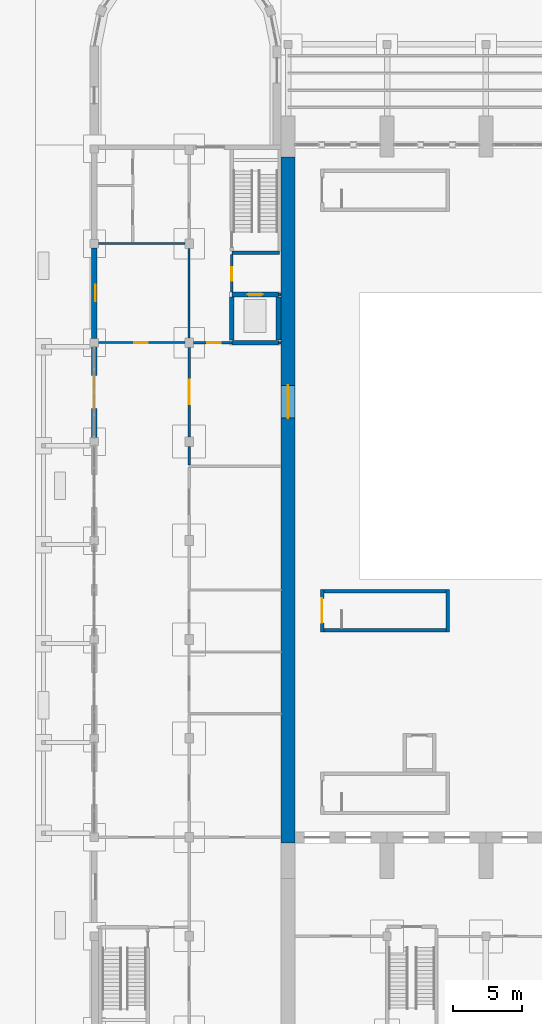
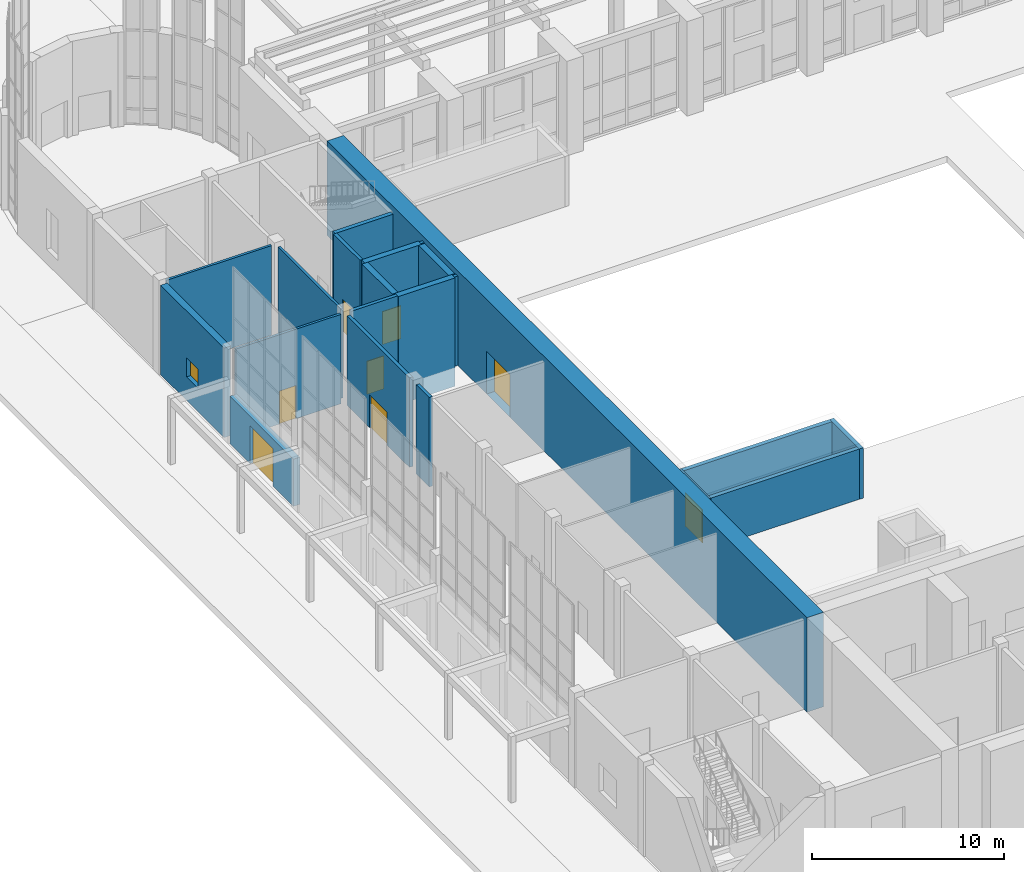
# One storey, part 41 of 70: 21 walls, 8 doors, 1 window, 9 openings.
"""IFC4 building model written with IfcOpenShell, lengths in metres."""

from ifc_helpers import new_model, si_unit, direction, frame, frame_2d, origin, place, context, subcontext, project, spatial, rectangle, extrude, material, layer, layer_set, type_object, element, fill, save


model = new_model("IFC4")

# Units and contexts
model_context = context("Model", 3, precision=1e-05, world=origin(), true_north=direction((0.0, 1.0)))
body_context = subcontext(model_context, "Body", "Model", "MODEL_VIEW")
ifc_project = project(units=[si_unit("LENGTHUNIT", "METRE"), si_unit("AREAUNIT", "SQUARE_METRE"), si_unit("VOLUMEUNIT", "CUBIC_METRE"), si_unit("PLANEANGLEUNIT", "RADIAN"), si_unit("MASSUNIT", "GRAM", prefix="KILO")], contexts=[model_context])

# Site, building, storey
site_placement = place(None, origin())
site = spatial("IfcSite", under=ifc_project, at=site_placement, CompositionType="ELEMENT")
building_placement = place(site_placement, origin())
building = spatial("IfcBuilding", under=site, at=building_placement, Name="Vermilion Court Aquatics Centre", CompositionType="ELEMENT")
storey_placement = place(building_placement, origin())
storey = spatial("IfcBuildingStorey", under=building, at=storey_placement, Name="L00", CompositionType="ELEMENT", Elevation=0.0)

# Wall, opening, door
ifc_material_1 = material(Name="Concrete 5000 psi", Category="concrete")
ifc_layer_1 = layer(ifc_material_1, 1.0)
ifc_layer_set_1 = layer_set([ifc_layer_1], Name="Envelope west gable wall lower 1000")
wall_type_1 = type_object("IfcWallType", Name="Envelope west gable wall lower 1000", PredefinedType="SOLIDWALL", material=ifc_layer_set_1)
wall_1_placement = place(storey_placement, frame((14.39990234375, 14.0, 0.0), z_axis=(0.0, 0.0, 1.0), x_axis=(0.0, 1.0, 0.0)))
wall_1 = element("IfcWall", 1, at=wall_1_placement, inside=storey, type_object=wall_type_1, Name="Gable wall west L00", PredefinedType="SOLIDWALL", context=body_context, shape_type="SweptSolid", body=[
    extrude(rectangle(XDim=49.89990234375, YDim=1.0, at=frame_2d((24.949951171875, 0.0))), origin(), (0.0, 0.0, 1.0), 6.0),
])
opening_1_placement = place(wall_1_placement, frame((30.89990234375, 0.0, 0.0)))
opening_1 = element("IfcOpeningElement", 2, at=opening_1_placement, cuts=wall_1, Name="Opening E00-002", PredefinedType="OPENING", context=body_context, shape_type="SweptSolid", body=[
    extrude(rectangle(XDim=2.39990234375, YDim=2.699951171875, at=frame_2d((1.199951171875, 1.35009765625))), frame((0.0, 0.510009765625, 0.0), z_axis=(0.0, -1.0, 0.0), x_axis=(1.0, 0.0, 0.0)), (0.0, 0.0, 1.0), 1.02001953125),
])
ifc_material_2 = material(Name="Hollow metal")
door_type_1 = type_object("IfcDoorType", Name="Envelope west link door pair 2400x2700", OperationType="DOUBLE_DOOR_SINGLE_SWING", PredefinedType="DOOR", material=ifc_material_2)
door_1_placement = place(opening_1_placement, origin())
door_1 = element("IfcDoor", 3, at=door_1_placement, inside=storey, type_object=door_type_1, Name="Deck link to the foyer E00-002", OperationType="DOUBLE_DOOR_SINGLE_SWING", OverallHeight=2.699951171875, OverallWidth=2.39990234375, PredefinedType="DOOR", context=body_context, shape_type="SweptSolid", body=[
    extrude(rectangle(XDim=2.39990234375, YDim=2.699951171875, at=frame_2d((1.199951171875, 1.35009765625))), frame((0.0, 0.02490234375, 0.0), z_axis=(0.0, -1.0, 0.0), x_axis=(1.0, 0.0, 0.0)), (0.0, 0.0, 1.0), 0.050048828125),
])
fill(opening_1, door_1)

ifc_material_3 = material(Name="Brick masonry", Category="masonry")
ifc_layer_2 = layer(ifc_material_3, 0.39990234375)
ifc_layer_set_2 = layer_set([ifc_layer_2], Name="Foyer brick wall 400")
wall_type_2 = type_object("IfcWallType", Name="Foyer brick wall 400", PredefinedType="SOLIDWALL", material=ifc_layer_set_2)
wall_2_placement = place(storey_placement, frame((0.300048828125, 43.5, 0.0), z_axis=(0.0, 0.0, 1.0), x_axis=(0.0, 1.0, 0.0)))
wall_2 = element("IfcWall", 4, at=wall_2_placement, inside=storey, type_object=wall_type_2, Name="Foyer brick base wall", PredefinedType="SOLIDWALL", context=body_context, shape_type="SweptSolid", body=[
    extrude(rectangle(XDim=6.60009765625, YDim=0.39990234375, at=frame_2d((3.300048828125, 0.0))), origin(), (0.0, 0.0, 1.0), 3.0),
])
opening_2_placement = place(wall_2_placement, frame((2.10009765625, 0.0, 0.0)))
opening_2 = element("IfcOpeningElement", 5, at=opening_2_placement, cuts=wall_2, Name="Opening F00-006", PredefinedType="OPENING", context=body_context, shape_type="SweptSolid", body=[
    extrude(rectangle(XDim=2.39990234375, YDim=2.39990234375, at=frame_2d((1.199951171875, 1.199951171875))), frame((0.0, 0.2099609375, 0.0), z_axis=(0.0, -1.0, 0.0), x_axis=(1.0, 0.0, 0.0)), (0.0, 0.0, 1.0), 0.419921875),
])
ifc_material_4 = material(Name="Hollow metal", Category="metal")
door_type_2 = type_object("IfcDoorType", Name="Foyer entrance door 2400x2400", OperationType="DOUBLE_DOOR_SINGLE_SWING", PredefinedType="DOOR", material=ifc_material_4)
door_2_placement = place(opening_2_placement, origin())
door_2 = element("IfcDoor", 6, at=door_2_placement, inside=storey, type_object=door_type_2, Name="Foyer entrance door", OperationType="DOUBLE_DOOR_SINGLE_SWING", OverallHeight=2.39990234375, OverallWidth=2.39990234375, PredefinedType="DOOR", context=body_context, shape_type="SweptSolid", body=[
    extrude(rectangle(XDim=2.39990234375, YDim=2.39990234375, at=frame_2d((1.199951171875, 1.199951171875))), frame((0.0, 0.02490234375, 0.0), z_axis=(0.0, -1.0, 0.0), x_axis=(1.0, 0.0, 0.0)), (0.0, 0.0, 1.0), 0.050048828125),
])
fill(opening_2, door_2)

# Wall, opening, window
wall_3_placement = place(storey_placement, frame((0.300048828125, 50.699951171875, 0.0), z_axis=(0.0, 0.0, 1.0), x_axis=(0.0, 1.0, 0.0)))
wall_3 = element("IfcWall", 7, at=wall_3_placement, inside=storey, type_object=wall_type_2, Name="Foyer brick wall", PredefinedType="SOLIDWALL", context=body_context, shape_type="SweptSolid", body=[
    extrude(rectangle(XDim=6.60009765625, YDim=0.39990234375, at=frame_2d((3.300048828125, 0.0))), origin(), (0.0, 0.0, 1.0), 5.675048828125),
])
opening_3_placement = place(wall_3_placement, frame((2.699951171875, 0.0, 1.5)))
opening_3 = element("IfcOpeningElement", 8, at=opening_3_placement, cuts=wall_3, Name="Opening FWN3", PredefinedType="OPENING", context=body_context, shape_type="SweptSolid", body=[
    extrude(rectangle(XDim=1.199951171875, YDim=1.199951171875, at=frame_2d((0.60009765625, 0.60009765625))), frame((0.0, 0.2099609375, 0.0), z_axis=(0.0, -1.0, 0.0), x_axis=(1.0, 0.0, 0.0)), (0.0, 0.0, 1.0), 0.419921875),
])
ifc_material_5 = material(Name="Aluminium 6063-T5", Category="aluminium")
window_type = type_object("IfcWindowType", Name="Foyer window 1200x1200", PartitioningType="SINGLE_PANEL", PredefinedType="WINDOW", material=ifc_material_5)
window_placement = place(opening_3_placement, origin())
window = element("IfcWindow", 9, at=window_placement, inside=storey, type_object=window_type, Name="Foyer window", OverallHeight=1.199951171875, OverallWidth=1.199951171875, PartitioningType="SINGLE_PANEL", PredefinedType="WINDOW", context=body_context, shape_type="SweptSolid", body=[
    extrude(rectangle(XDim=1.199951171875, YDim=1.199951171875, at=frame_2d((0.60009765625, 0.60009765625))), frame((0.0, -0.050048828125, 0.0), z_axis=(0.0, -1.0, 0.0), x_axis=(1.0, 0.0, 0.0)), (0.0, 0.0, 1.0), 0.06005859375),
])
fill(opening_3, window)

# Wall
ifc_material_6 = material(Name="Concrete masonry ASTM C90 Type I", Category="masonry")
ifc_layer_3 = layer(ifc_material_6, 0.199951171875)
ifc_layer_set_3 = layer_set([ifc_layer_3], Name="Foyer fire-rated partition 200")
wall_type_3 = type_object("IfcWallType", Name="Foyer fire-rated partition 200", PredefinedType="PARTITIONING", material=ifc_layer_set_3)
wall_4_placement = place(storey_placement, frame((7.199951171875, 41.5, 0.0), z_axis=(0.0, 0.0, 1.0), x_axis=(0.0, 1.0, 0.0)))
element("IfcWall", 10, at=wall_4_placement, inside=storey, type_object=wall_type_3, Name="Wall", PredefinedType="PARTITIONING", context=body_context, shape_type="SweptSolid", body=[
    extrude(rectangle(XDim=1.35009765625, YDim=0.199951171875, at=frame_2d((0.675048828125, 0.0))), origin(), (0.0, 0.0, 1.0), 5.675048828125),
])

# Wall, opening, door
wall_5_placement = place(storey_placement, frame((7.199951171875, 43.550048828125, 0.0), z_axis=(0.0, 0.0, 1.0), x_axis=(0.0, 1.0, 0.0)))
wall_5 = element("IfcWall", 11, at=wall_5_placement, inside=storey, type_object=wall_type_3, Name="Wall", PredefinedType="PARTITIONING", context=body_context, shape_type="SweptSolid", body=[
    extrude(rectangle(XDim=6.5, YDim=0.199951171875, at=frame_2d((3.25, 0.0))), origin(), (0.0, 0.0, 1.0), 5.675048828125),
])
opening_4_placement = place(wall_5_placement, frame((2.35009765625, 0.0, 0.0)))
opening_4 = element("IfcOpeningElement", 12, at=opening_4_placement, cuts=wall_5, Name="Opening F00-017", PredefinedType="OPENING", context=body_context, shape_type="SweptSolid", body=[
    extrude(rectangle(XDim=1.800048828125, YDim=2.10009765625, at=frame_2d((0.89990234375, 1.050048828125))), frame((0.0, 0.10986328125, 0.0), z_axis=(0.0, -1.0, 0.0), x_axis=(1.0, 0.0, 0.0)), (0.0, 0.0, 1.0), 0.219970703125),
])
ifc_material_7 = material(Name="Hollow metal", Category="metal")
door_type_3 = type_object("IfcDoorType", Name="Foyer lobby double door 1800", OperationType="DOUBLE_DOOR_SINGLE_SWING", PredefinedType="DOOR", material=ifc_material_7)
door_3_placement = place(opening_4_placement, origin())
door_3 = element("IfcDoor", 13, at=door_3_placement, inside=storey, type_object=door_type_3, Name="Deck link lobby door", OperationType="DOUBLE_DOOR_SINGLE_SWING", OverallHeight=2.10009765625, OverallWidth=1.800048828125, PredefinedType="DOOR", context=body_context, shape_type="SweptSolid", body=[
    extrude(rectangle(XDim=1.800048828125, YDim=2.10009765625, at=frame_2d((0.89990234375, 1.050048828125))), frame((0.0, 0.02490234375, 0.0), z_axis=(0.0, -1.0, 0.0), x_axis=(1.0, 0.0, 0.0)), (0.0, 0.0, 1.0), 0.050048828125),
])
fill(opening_4, door_3)

wall_6_placement = place(storey_placement, frame((10.300048828125, 54.074951171875, 0.0), z_axis=(0.0, 0.0, 1.0), x_axis=(0.0, 1.0, 0.0)))
wall_6 = element("IfcWall", 14, at=wall_6_placement, inside=storey, type_object=wall_type_3, Name="Wall", PredefinedType="PARTITIONING", context=body_context, shape_type="SweptSolid", body=[
    extrude(rectangle(XDim=2.75, YDim=0.199951171875, at=frame_2d((1.375, 0.0))), origin(), (0.0, 0.0, 1.0), 5.675048828125),
])
opening_5_placement = place(wall_6_placement, frame((0.824951171875, 0.0, 0.0)))
opening_5 = element("IfcOpeningElement", 15, at=opening_5_placement, cuts=wall_6, Name="Opening F00-009", PredefinedType="OPENING", context=body_context, shape_type="SweptSolid", body=[
    extrude(rectangle(XDim=1.0, YDim=2.10009765625, at=frame_2d((0.5, 1.050048828125))), frame((0.0, 0.10986328125, 0.0), z_axis=(0.0, -1.0, 0.0), x_axis=(1.0, 0.0, 0.0)), (0.0, 0.0, 1.0), 0.219970703125),
])
ifc_material_8 = material(Name="Hollow metal", Category="metal")
door_type_4 = type_object("IfcDoorType", Name="Foyer lobby door 1000", OperationType="NOTDEFINED", PredefinedType="DOOR", material=ifc_material_8)
door_4_placement = place(opening_5_placement, origin())
door_4 = element("IfcDoor", 16, at=door_4_placement, inside=storey, type_object=door_type_4, Name="Lift lobby door", OperationType="SINGLE_SWING_LEFT", OverallHeight=2.10009765625, OverallWidth=1.0, PredefinedType="DOOR", context=body_context, shape_type="SweptSolid", body=[
    extrude(rectangle(XDim=1.0, YDim=2.10009765625, at=frame_2d((0.5, 1.050048828125))), frame((0.0, 0.02490234375, 0.0), z_axis=(0.0, -1.0, 0.0), x_axis=(1.0, 0.0, 0.0)), (0.0, 0.0, 1.0), 0.050048828125),
])
fill(opening_5, door_4)

wall_7_placement = place(storey_placement, frame((7.5, 50.39990234375, 0.0), z_axis=(0.0, 0.0, 1.0), x_axis=(1.0, 0.0, 0.0)))
wall_7 = element("IfcWall", 17, at=wall_7_placement, inside=storey, type_object=wall_type_3, Name="Wall", PredefinedType="PARTITIONING", context=body_context, shape_type="SweptSolid", body=[
    extrude(rectangle(XDim=2.800048828125, YDim=0.199951171875, at=frame_2d((1.39990234375, 0.0))), origin(), (0.0, 0.0, 1.0), 5.675048828125),
])
opening_6_placement = place(wall_7_placement, frame((1.0, 0.0, 0.0)))
opening_6 = element("IfcOpeningElement", 18, at=opening_6_placement, cuts=wall_7, Name="Opening F00-019", PredefinedType="OPENING", context=body_context, shape_type="SweptSolid", body=[
    extrude(rectangle(XDim=1.0, YDim=2.10009765625, at=frame_2d((0.5, 1.050048828125))), frame((0.0, 0.10986328125, 0.0), z_axis=(0.0, -1.0, 0.0), x_axis=(1.0, 0.0, 0.0)), (0.0, 0.0, 1.0), 0.219970703125),
])
door_5_placement = place(opening_6_placement, origin())
door_5 = element("IfcDoor", 19, at=door_5_placement, inside=storey, type_object=door_type_4, Name="Foyer corridor north door", OperationType="SINGLE_SWING_RIGHT", OverallHeight=2.10009765625, OverallWidth=1.0, PredefinedType="DOOR", context=body_context, shape_type="SweptSolid", body=[
    extrude(rectangle(XDim=1.0, YDim=2.10009765625, at=frame_2d((0.5, 1.050048828125))), frame((0.0, 0.02490234375, 0.0), z_axis=(0.0, -1.0, 0.0), x_axis=(1.0, 0.0, 0.0)), (0.0, 0.0, 1.0), 0.050048828125),
])
fill(opening_6, door_5)

# Walls
for number, where, z_axis, x_axis, name in (
    (20, (13.699951171875, 50.39990234375, 0.0), (0.0, 0.0, 1.0), (1.0, 0.0, 0.0), "Wall"),
    (21, (13.699951171875, 53.89990234375, 0.0), (0.0, 0.0, 1.0), (1.0, 0.0, 0.0), "Wall"),
):
    element("IfcWall", number, at=place(storey_placement, frame(where, z_axis=z_axis, x_axis=x_axis)), inside=storey, type_object=wall_type_3, Name=name, PredefinedType="PARTITIONING", context=body_context, shape_type="SweptSolid", body=[
        extrude(rectangle(XDim=0.199951171875, YDim=0.199951171875, at=frame_2d((0.10009765625, 0.0))), origin(), (0.0, 0.0, 1.0), 5.675048828125),
    ])
ifc_material_9 = material(Name="Concrete 5000 psi", Category="concrete")
ifc_layer_4 = layer(ifc_material_9, 0.35009765625)
ifc_layer_set_4 = layer_set([ifc_layer_4], Name="Foyer lift shaft wall 350")
wall_type_4 = type_object("IfcWallType", Name="Foyer lift shaft wall 350", PredefinedType="SOLIDWALL", material=ifc_layer_set_4)
for number, where, z_axis, x_axis, name in (
    (22, (10.300048828125, 50.574951171875, -1.199951171875), (0.0, 0.0, 1.0), (0.0, 1.0, 0.0), "Lift shaft wall"),
    (23, (13.699951171875, 50.574951171875, -1.199951171875), (0.0, 0.0, 1.0), (0.0, 1.0, 0.0), "Lift shaft wall"),
):
    element("IfcWall", number, at=place(storey_placement, frame(where, z_axis=z_axis, x_axis=x_axis)), inside=storey, type_object=wall_type_4, Name=name, PredefinedType="SOLIDWALL", context=body_context, shape_type="SweptSolid", body=[
        extrude(rectangle(XDim=3.150146484375, YDim=0.35009765625, at=frame_2d((1.5751953125, 0.0))), origin(), (0.0, 0.0, 1.0), 6.875),
    ])
wall_8_placement = place(storey_placement, frame((10.300048828125, 50.39990234375, -1.199951171875), z_axis=(0.0, 0.0, 1.0), x_axis=(1.0, 0.0, 0.0)))
element("IfcWall", 24, at=wall_8_placement, inside=storey, type_object=wall_type_4, Name="Lift shaft wall", PredefinedType="SOLIDWALL", context=body_context, shape_type="SweptSolid", body=[
    extrude(rectangle(XDim=3.39990234375, YDim=0.35009765625, at=frame_2d((1.699951171875, 0.0))), origin(), (0.0, 0.0, 1.0), 6.875),
])

# Wall, opening, door
wall_9_placement = place(storey_placement, frame((10.300048828125, 53.89990234375, -1.199951171875), z_axis=(0.0, 0.0, 1.0), x_axis=(1.0, 0.0, 0.0)))
wall_9 = element("IfcWall", 25, at=wall_9_placement, inside=storey, type_object=wall_type_4, Name="Lift shaft wall", PredefinedType="SOLIDWALL", context=body_context, shape_type="SweptSolid", body=[
    extrude(rectangle(XDim=3.39990234375, YDim=0.35009765625, at=frame_2d((1.699951171875, 0.0))), origin(), (0.0, 0.0, 1.0), 6.875),
])
opening_7_placement = place(wall_9_placement, frame((1.14990234375, 0.0, 1.199951171875)))
opening_7 = element("IfcOpeningElement", 26, at=opening_7_placement, cuts=wall_9, Name="Opening LD0-F1", PredefinedType="OPENING", context=body_context, shape_type="SweptSolid", body=[
    extrude(rectangle(XDim=1.10009765625, YDim=2.10009765625, at=frame_2d((0.550048828125, 1.050048828125))), frame((0.0, 0.18505859375, 0.0), z_axis=(0.0, -1.0, 0.0), x_axis=(1.0, 0.0, 0.0)), (0.0, 0.0, 1.0), 0.3701171875),
])
ifc_material_10 = material(Name="Hollow metal", Category="metal")
door_type_5 = type_object("IfcDoorType", Name="Foyer lift landing door 1100", OperationType="DOUBLE_DOOR_SLIDING", PredefinedType="DOOR", material=ifc_material_10)
door_6_placement = place(opening_7_placement, origin())
door_6 = element("IfcDoor", 27, at=door_6_placement, inside=storey, type_object=door_type_5, Name="Lift landing door", OperationType="DOUBLE_DOOR_SLIDING", OverallHeight=2.10009765625, OverallWidth=1.10009765625, PredefinedType="DOOR", context=body_context, shape_type="SweptSolid", body=[
    extrude(rectangle(XDim=1.10009765625, YDim=2.10009765625, at=frame_2d((0.550048828125, 1.050048828125))), frame((0.0, 0.02490234375, 0.0), z_axis=(0.0, -1.0, 0.0), x_axis=(1.0, 0.0, 0.0)), (0.0, 0.0, 1.0), 0.050048828125),
])
fill(opening_7, door_6)

# Walls
ifc_material_11 = material(Name="Concrete 5000 psi", Category="concrete")
ifc_layer_5 = layer(ifc_material_11, 0.25)
ifc_layer_set_5 = layer_set([ifc_layer_5], Name="Foyer stair wall 250")
wall_type_5 = type_object("IfcWallType", Name="Foyer stair wall 250", PredefinedType="SOLIDWALL", material=ifc_layer_set_5)
wall_10_placement = place(storey_placement, frame((10.300048828125, 56.949951171875, 0.0), z_axis=(0.0, 0.0, 1.0), x_axis=(1.0, 0.0, 0.0)))
element("IfcWall", 28, at=wall_10_placement, inside=storey, type_object=wall_type_5, Name="Stair enclosure wall", PredefinedType="SOLIDWALL", context=body_context, shape_type="SweptSolid", body=[
    extrude(rectangle(XDim=3.474853515625, YDim=0.25, at=frame_2d((1.7373046875, 0.0))), origin(), (0.0, 0.0, 1.0), 5.675048828125),
])
ifc_material_12 = material(Name="Concrete masonry ASTM C90 Type I", Category="masonry")
ifc_layer_6 = layer(ifc_material_12, 0.14990234375)
ifc_layer_set_6 = layer_set([ifc_layer_6], Name="Foyer wet room partition 150")
wall_type_6 = type_object("IfcWallType", Name="Foyer wet room partition 150", PredefinedType="PARTITIONING", material=ifc_layer_set_6)
wall_11_placement = place(storey_placement, frame((7.199951171875, 50.75, 0.0), z_axis=(0.0, 0.0, 1.0), x_axis=(0.0, 1.0, 0.0)))
element("IfcWall", 29, at=wall_11_placement, inside=storey, type_object=wall_type_6, Name="Wall", PredefinedType="PARTITIONING", context=body_context, shape_type="SweptSolid", body=[
    extrude(rectangle(XDim=6.5, YDim=0.14990234375, at=frame_2d((3.25, 0.0))), origin(), (0.0, 0.0, 1.0), 5.675048828125),
])

# Wall, opening, door
wall_12_placement = place(storey_placement, frame((0.60009765625, 50.39990234375, 0.0), z_axis=(0.0, 0.0, 1.0), x_axis=(1.0, 0.0, 0.0)))
wall_12 = element("IfcWall", 30, at=wall_12_placement, inside=storey, type_object=wall_type_6, Name="Wall", PredefinedType="PARTITIONING", context=body_context, shape_type="SweptSolid", body=[
    extrude(rectangle(XDim=6.2998046875, YDim=0.14990234375, at=frame_2d((3.14990234375, 0.0))), origin(), (0.0, 0.0, 1.0), 5.675048828125),
])
opening_8_placement = place(wall_12_placement, frame((2.60009765625, 0.0, 0.0)))
opening_8 = element("IfcOpeningElement", 31, at=opening_8_placement, cuts=wall_12, Name="Opening F00-020", PredefinedType="OPENING", context=body_context, shape_type="SweptSolid", body=[
    extrude(rectangle(XDim=1.0, YDim=2.10009765625, at=frame_2d((0.5, 1.050048828125))), frame((0.0, 0.0849609375, 0.0), z_axis=(0.0, -1.0, 0.0), x_axis=(1.0, 0.0, 0.0)), (0.0, 0.0, 1.0), 0.169921875),
])
ifc_material_13 = material(Name="Timber door leaf", Category="wood")
door_type_6 = type_object("IfcDoorType", Name="Foyer single door 1000", OperationType="NOTDEFINED", PredefinedType="DOOR", material=ifc_material_13)
door_7_placement = place(opening_8_placement, origin())
door_7 = element("IfcDoor", 32, at=door_7_placement, inside=storey, type_object=door_type_6, Name="Public WC door", OperationType="SINGLE_SWING_LEFT", OverallHeight=2.10009765625, OverallWidth=1.0, PredefinedType="DOOR", context=body_context, shape_type="SweptSolid", body=[
    extrude(rectangle(XDim=1.0, YDim=2.10009765625, at=frame_2d((0.5, 1.050048828125))), frame((0.0, 0.02490234375, 0.0), z_axis=(0.0, -1.0, 0.0), x_axis=(1.0, 0.0, 0.0)), (0.0, 0.0, 1.0), 0.050048828125),
])
fill(opening_8, door_7)

# Wall
wall_13_placement = place(storey_placement, frame((0.60009765625, 57.60009765625, 0.0), z_axis=(0.0, 0.0, 1.0), x_axis=(1.0, 0.0, 0.0)))
element("IfcWall", 33, at=wall_13_placement, inside=storey, type_object=wall_type_6, Name="Wall", PredefinedType="PARTITIONING", context=body_context, shape_type="SweptSolid", body=[
    extrude(rectangle(XDim=6.2998046875, YDim=0.14990234375, at=frame_2d((3.14990234375, 0.0))), origin(), (0.0, 0.0, 1.0), 5.675048828125),
])

# Wall, opening, door
ifc_material_14 = material(Name="Concrete 5000 psi", Category="concrete")
ifc_layer_7 = layer(ifc_material_14, 0.25)
ifc_layer_set_7 = layer_set([ifc_layer_7], Name="Hall stair enclosure wall 250")
wall_type_7 = type_object("IfcWallType", Name="Hall stair enclosure wall 250", PredefinedType="SOLIDWALL", material=ifc_layer_set_7)
wall_14_placement = place(storey_placement, frame((16.875, 29.35009765625, 0.0), z_axis=(0.0, 0.0, 1.0), x_axis=(0.0, 1.0, 0.0)))
wall_14 = element("IfcWall", 34, at=wall_14_placement, inside=storey, type_object=wall_type_7, Name="Stair lobby 2 wall", PredefinedType="SOLIDWALL", context=body_context, shape_type="SweptSolid", body=[
    extrude(rectangle(XDim=3.099853515625, YDim=0.25, at=frame_2d((1.5498046875, 0.0))), origin(), (0.0, 0.0, 1.0), 3.199951171875),
])
opening_9_placement = place(wall_14_placement, frame((0.64990234375, 0.0, 0.0)))
opening_9 = element("IfcOpeningElement", 35, at=opening_9_placement, cuts=wall_14, Name="Opening H00-005", PredefinedType="OPENING", context=body_context, shape_type="SweptSolid", body=[
    extrude(rectangle(XDim=1.800048828125, YDim=2.10009765625, at=frame_2d((0.89990234375, 1.050048828125))), frame((0.0, 0.135009765625, 0.0), z_axis=(0.0, -1.0, 0.0), x_axis=(1.0, 0.0, 0.0)), (0.0, 0.0, 1.0), 0.27001953125),
])
ifc_material_15 = material(Name="Hollow metal")
door_type_7 = type_object("IfcDoorType", Name="Hall double door 1800x2100", OperationType="DOUBLE_DOOR_SINGLE_SWING", PredefinedType="DOOR", material=ifc_material_15)
door_8_placement = place(opening_9_placement, frame((1.800048828125, 0.0, 0.0), z_axis=(0.0, 0.0, 1.0), x_axis=(-1.0, 0.0, 0.0)))
door_8 = element("IfcDoor", 36, at=door_8_placement, inside=storey, type_object=door_type_7, Name="Door from stair lobby 2 to the deck", OperationType="DOUBLE_DOOR_SINGLE_SWING", OverallHeight=2.10009765625, OverallWidth=1.800048828125, PredefinedType="DOOR", context=body_context, shape_type="SweptSolid", body=[
    extrude(rectangle(XDim=1.800048828125, YDim=2.10009765625, at=frame_2d((0.900146484375, 1.050048828125))), frame((0.0, 0.025146484375, 0.0), z_axis=(0.0, -1.0, 0.0), x_axis=(1.0, 0.0, 0.0)), (0.0, 0.0, 1.0), 0.050048828125),
])
fill(opening_9, door_8)

# Walls
wall_15_placement = place(storey_placement, frame((26.02490234375, 29.35009765625, 0.0), z_axis=(0.0, 0.0, 1.0), x_axis=(0.0, 1.0, 0.0)))
element("IfcWall", 37, at=wall_15_placement, inside=storey, type_object=wall_type_7, Name="Stair lobby 2 wall", PredefinedType="SOLIDWALL", context=body_context, shape_type="SweptSolid", body=[
    extrude(rectangle(XDim=3.099853515625, YDim=0.25, at=frame_2d((1.5498046875, 0.0))), origin(), (0.0, 0.0, 1.0), 3.199951171875),
])
for number, where, z_axis, x_axis, name in (
    (38, (17.0, 29.47509765625, 0.0), (0.0, 0.0, 1.0), (1.0, 0.0, 0.0), "Stair lobby 2 wall"),
    (39, (17.0, 32.324951171875, 0.0), (0.0, 0.0, 1.0), (1.0, 0.0, 0.0), "Stair lobby 2 wall"),
):
    element("IfcWall", number, at=place(storey_placement, frame(where, z_axis=z_axis, x_axis=x_axis)), inside=storey, type_object=wall_type_7, Name=name, PredefinedType="SOLIDWALL", context=body_context, shape_type="SweptSolid", body=[
        extrude(rectangle(XDim=8.89990234375, YDim=0.25, at=frame_2d((4.449951171875, 0.0))), origin(), (0.0, 0.0, 1.0), 3.199951171875),
    ])

save(model, "model.ifc")
